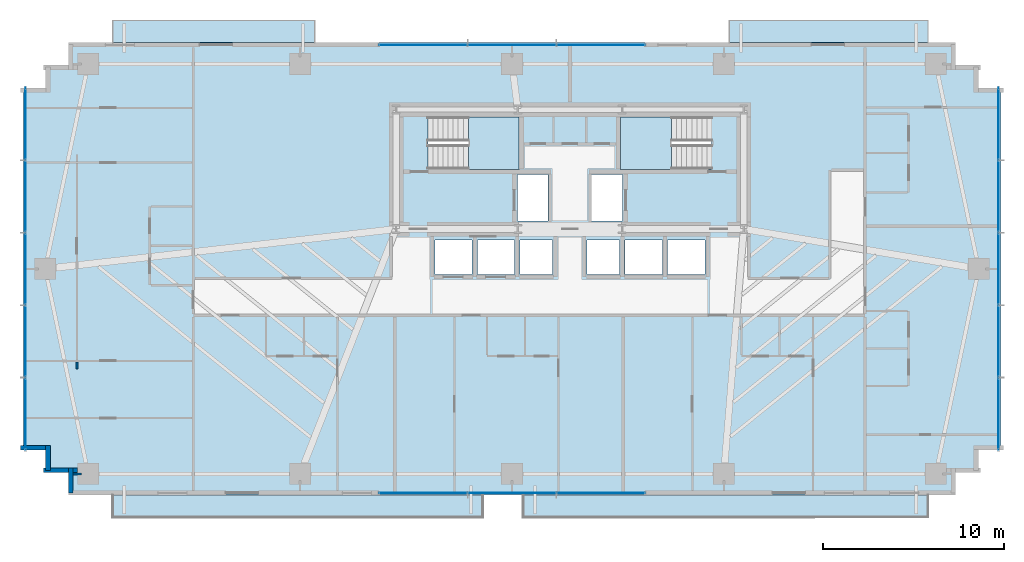
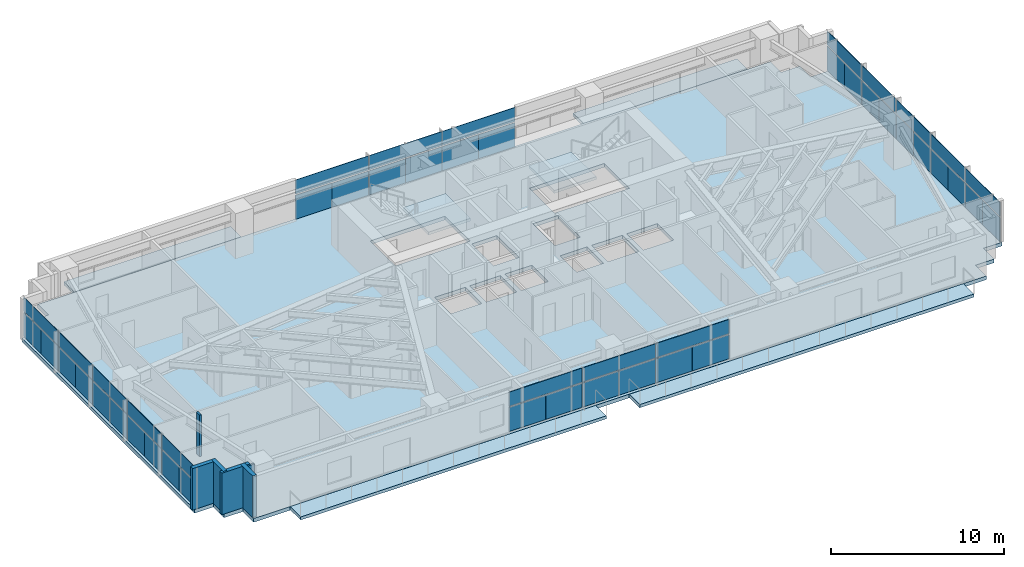
# One storey, part 18 of 25: 48 plates, 7 slabs, 6 walls, 6 elements without a shape of their own.
"""IFC4 building model written with IfcOpenShell, lengths in metres."""

from ifc_helpers import new_model, si_unit, direction, frame, frame_2d, origin, origin_2d, place, context, subcontext, project, spatial, polyline, rectangle, outline, extrude, source, transform, mapped, material, layer, layer_set, type_object, type_shapes, element, aggregate, save


model = new_model("IFC4")

# Units and contexts
model_context = context("Model", 3, precision=1e-05, world=origin(), true_north=direction((0.0, 1.0)))
body_context = subcontext(model_context, "Body", "Model", "MODEL_VIEW")
ifc_project = project(units=[si_unit("LENGTHUNIT", "METRE"), si_unit("AREAUNIT", "SQUARE_METRE"), si_unit("VOLUMEUNIT", "CUBIC_METRE"), si_unit("PLANEANGLEUNIT", "RADIAN"), si_unit("MASSUNIT", "GRAM", prefix="KILO")], contexts=[model_context])

# Site, building, storey
site_placement = place(None, origin())
site = spatial("IfcSite", under=ifc_project, at=site_placement, CompositionType="ELEMENT")
building_placement = place(site_placement, origin())
building = spatial("IfcBuilding", under=site, at=building_placement, Name="Astriad Promenade Condominiums", CompositionType="ELEMENT")
storey_placement = place(building_placement, frame((0.0, 0.0, 42.199951171875)))
storey = spatial("IfcBuildingStorey", under=building, at=storey_placement, Name="L11", CompositionType="ELEMENT", Elevation=42.199951171875)

# Slab
ifc_material_1 = material(Name="Concrete C50/60", Category="concrete")
ifc_layer_1 = layer(ifc_material_1, 0.260009765625)
ifc_layer_set_1 = layer_set([ifc_layer_1], Name="Concrete C50/60")
slab_type_1 = type_object("IfcSlabType", Name="CONCRETE TOWER FLOOR SLAB 260", PredefinedType="FLOOR", material=ifc_layer_set_1)
slab_1_placement = place(storey_placement, frame((0.0, 0.0, -0.260009765625)))
element("IfcSlab", 1, at=slab_1_placement, inside=storey, type_object=slab_type_1, Name="Structural Floor Slab (L11)", PredefinedType="FLOOR", context=body_context, shape_type="SweptSolid", body=[
    extrude(outline(polyline([(8.300048828125, 2.699951171875), (57.300048828125, 2.699951171875), (57.300048828125, 3.949951171875), (58.550048828125, 3.949951171875), (58.550048828125, 5.199951171875), (59.800048828125, 5.199951171875), (59.800048828125, 25.199951171875), (58.550048828125, 25.199951171875), (58.550048828125, 26.449951171875), (57.300048828125, 26.449951171875), (57.300048828125, 27.699951171875), (8.300048828125, 27.699951171875), (8.300048828125, 26.449951171875), (7.050048828125, 26.449951171875), (7.050048828125, 25.199951171875), (5.800048828125, 25.199951171875), (5.800048828125, 5.199951171875), (7.050048828125, 5.199951171875), (7.050048828125, 3.949951171875), (8.300048828125, 3.949951171875), (8.300048828125, 2.699951171875)]), holes=[polyline([(28.175048828125, 20.699951171875), (33.175048828125, 20.699951171875), (33.175048828125, 23.60009765625), (28.175048828125, 23.60009765625), (28.175048828125, 20.699951171875)]), polyline([(38.824951171875, 20.699951171875), (43.824951171875, 20.699951171875), (43.824951171875, 23.60009765625), (38.824951171875, 23.60009765625), (38.824951171875, 20.699951171875)]), polyline([(33.10009765625, 17.85009765625), (34.800048828125, 17.85009765625), (34.800048828125, 20.39990234375), (33.10009765625, 20.39990234375), (33.10009765625, 17.85009765625)]), polyline([(37.199951171875, 17.85009765625), (38.89990234375, 17.85009765625), (38.89990234375, 20.39990234375), (37.199951171875, 20.39990234375), (37.199951171875, 17.85009765625)]), polyline([(28.550048828125, 14.89990234375), (30.60009765625, 14.89990234375), (30.60009765625, 16.800048828125), (28.550048828125, 16.800048828125), (28.550048828125, 14.89990234375)]), polyline([(30.89990234375, 14.89990234375), (32.949951171875, 14.89990234375), (32.949951171875, 16.800048828125), (30.89990234375, 16.800048828125), (30.89990234375, 14.89990234375)]), polyline([(33.25, 14.89990234375), (35.050048828125, 14.89990234375), (35.050048828125, 16.800048828125), (33.25, 16.800048828125), (33.25, 14.89990234375)]), polyline([(36.949951171875, 14.89990234375), (38.75, 14.89990234375), (38.75, 16.800048828125), (36.949951171875, 16.800048828125), (36.949951171875, 14.89990234375)]), polyline([(39.050048828125, 14.89990234375), (41.10009765625, 14.89990234375), (41.10009765625, 16.800048828125), (39.050048828125, 16.800048828125), (39.050048828125, 14.89990234375)]), polyline([(41.39990234375, 14.89990234375), (43.449951171875, 14.89990234375), (43.449951171875, 16.800048828125), (41.39990234375, 16.800048828125), (41.39990234375, 14.89990234375)])]), origin(), (0.0, 0.0, 1.0), 0.260009765625),
])

# Stair, slab
stair_type = type_object("IfcStairType", Name="STR-CORE-1350", PredefinedType="HALF_TURN_STAIR", material=ifc_material_1)
stair_1_placement = place(storey_placement, origin())
stair_1 = element("IfcStair", 2, at=stair_1_placement, inside=storey, type_object=stair_type, Name="L11 Enclosed Core Exit Stair ST-1", PredefinedType="HALF_TURN_STAIR")
ifc_layer_2 = layer(ifc_material_1, 0.219970703125)
ifc_layer_set_2 = layer_set([ifc_layer_2], Name="Concrete C50/60")
slab_type_2 = type_object("IfcSlabType", Name="SLB-LANDING-220", PredefinedType="LANDING", material=ifc_layer_set_2)
slab_2_placement = place(storey_placement, frame((0.0, 0.0, 1.400146484375)))
slab_2 = element("IfcSlab", 3, at=slab_2_placement, type_object=slab_type_2, Name="ST-1 landing 1", PredefinedType="LANDING", context=body_context, shape_type="SweptSolid", body=[
    extrude(outline(polyline([(30.389892578125, 20.699951171875), (33.199951171875, 20.699951171875), (33.199951171875, 23.60009765625), (30.389892578125, 23.60009765625), (30.389892578125, 20.699951171875)])), origin(), (0.0, 0.0, 1.0), 0.199951171875),
])
aggregate(stair_1, [slab_2])

stair_2_placement = place(storey_placement, origin())
stair_2 = element("IfcStair", 4, at=stair_2_placement, inside=storey, type_object=stair_type, Name="L11 Enclosed Core Exit Stair ST-2", PredefinedType="HALF_TURN_STAIR")
slab_3_placement = place(storey_placement, frame((0.0, 0.0, 1.400146484375)))
slab_3 = element("IfcSlab", 5, at=slab_3_placement, type_object=slab_type_2, Name="ST-2 landing 1", PredefinedType="LANDING", context=body_context, shape_type="SweptSolid", body=[
    extrude(outline(polyline([(41.610107421875, 23.60009765625), (38.800048828125, 23.60009765625), (38.800048828125, 20.699951171875), (41.610107421875, 20.699951171875), (41.610107421875, 23.60009765625)])), origin(), (0.0, 0.0, 1.0), 0.199951171875),
])
aggregate(stair_2, [slab_3])

# Slabs
ifc_material_2 = material(Name="Precast concrete C50/60", Category="concrete")
ifc_layer_3 = layer(ifc_material_2, 0.219970703125)
ifc_layer_set_3 = layer_set([ifc_layer_3], Name="Precast concrete C50/60")
slab_type_3 = type_object("IfcSlabType", Name="WHITE PRECAST CONCRETE WAVE BALCONY SLAB 220", PredefinedType="FLOOR", material=ifc_layer_set_3)
slab_4_placement = place(storey_placement, frame((0.0, 0.0, -0.219970703125)))
element("IfcSlab", 6, at=slab_4_placement, inside=storey, type_object=slab_type_3, Name="White Precast Wave Balcony Slab BAL-L11-SW", PredefinedType="FLOOR", context=body_context, shape_type="SweptSolid", body=[
    extrude(outline(polyline([(31.181884765625, 1.47998046875), (10.743896484375, 1.47998046875), (10.743896484375, 2.697998046875), (31.181884765625, 2.697998046875), (31.181884765625, 1.47998046875)])), origin(), (0.0, 0.0, 1.0), 0.219970703125),
])
slab_5_placement = place(storey_placement, frame((0.0, 0.0, -0.219970703125)))
element("IfcSlab", 7, at=slab_5_placement, inside=storey, type_object=slab_type_3, Name="White Precast Wave Balcony Slab BAL-L11-SE", PredefinedType="FLOOR", context=body_context, shape_type="SweptSolid", body=[
    extrude(outline(polyline([(55.77197265625, 1.47998046875), (33.423095703125, 1.47998046875), (33.423095703125, 2.697998046875), (55.77197265625, 2.697998046875), (55.77197265625, 1.47998046875)])), origin(), (0.0, 0.0, 1.0), 0.219970703125),
])
slab_6_placement = place(storey_placement, frame((0.0, 0.0, -0.219970703125)))
element("IfcSlab", 8, at=slab_6_placement, inside=storey, type_object=slab_type_3, Name="White Precast Wave Balcony Slab BAL-L11-NW", PredefinedType="FLOOR", context=body_context, shape_type="SweptSolid", body=[
    extrude(outline(polyline([(10.743896484375, 28.919921875), (21.909912109375, 28.919921875), (21.909912109375, 27.701904296875), (10.743896484375, 27.701904296875), (10.743896484375, 28.919921875)])), origin(), (0.0, 0.0, 1.0), 0.219970703125),
])
slab_7_placement = place(storey_placement, frame((0.0, 0.0, -0.219970703125)))
element("IfcSlab", 9, at=slab_7_placement, inside=storey, type_object=slab_type_3, Name="White Precast Wave Balcony Slab BAL-L11-NE", PredefinedType="FLOOR", context=body_context, shape_type="SweptSolid", body=[
    extrude(outline(polyline([(44.800048828125, 28.919921875), (55.77197265625, 28.919921875), (55.77197265625, 27.701904296875), (44.800048828125, 27.701904296875), (44.800048828125, 28.919921875)])), origin(), (0.0, 0.0, 1.0), 0.219970703125),
])

# Curtain wall, plates
ifc_material_3 = material(Name="Anodised aluminium Black Dark Glass Unitised", Category="aluminium")
curtain_wall_type = type_object("IfcCurtainWallType", Name="CW-B1-DARK", PredefinedType="USERDEFINED", material=ifc_material_3)
curtain_wall_1_placement = place(storey_placement, origin())
curtain_wall_1 = element("IfcCurtainWall", 10, at=curtain_wall_1_placement, inside=storey, type_object=curtain_wall_type, Name="CW-L11-W", ObjectType="UNITISED_CURTAIN_WALL", PredefinedType="USERDEFINED")
ifc_material_4 = material(Name="Dark Tinted Low-E Laminated Glass", Category="glass")
ifc_layer_4 = layer(ifc_material_4, 0.035888671875)
ifc_layer_set_4 = layer_set([ifc_layer_4], Name="Dark Tinted Low-E Laminated Glass")
plate_type = type_object("IfcPlateType", Name="PNL-DARK-GLASS-36", PredefinedType="CURTAIN_PANEL", material=ifc_layer_set_4)
shared_shape_1 = source(origin(), body_context, "Body", "SweptSolid", [
    extrude(rectangle(XDim=1.988037109375, YDim=0.035888671875, at=origin_2d()), origin(), (0.0, 0.0, 1.0), 1.702880859375),
])
plate_1_placement = place(storey_placement, frame((5.929931640625, 6.199951171875, 0.080078125), z_axis=(0.0, 0.0, 1.0), x_axis=(0.0, 1.0, 0.0)))
plate_1 = element("IfcPlate", 11, at=plate_1_placement, type_object=plate_type, Name="CW-L11-W-PNL-00-VL", PredefinedType="CURTAIN_PANEL", context=body_context, shape_type="MappedRepresentation", body=[
    mapped(shared_shape_1, transform((0.0, 0.0, 0.0), scale=1.0)),
])
plate_2_placement = place(storey_placement, frame((5.929931640625, 8.199951171875, 0.080078125), z_axis=(0.0, 0.0, 1.0), x_axis=(0.0, 1.0, 0.0)))
plate_2 = element("IfcPlate", 12, at=plate_2_placement, type_object=plate_type, Name="CW-L11-W-PNL-00-VR", PredefinedType="CURTAIN_PANEL", context=body_context, shape_type="MappedRepresentation", body=[
    mapped(shared_shape_1, transform((0.0, 0.0, 0.0), scale=1.0)),
])
plate_3_placement = place(storey_placement, frame((5.929931640625, 10.199951171875, 0.080078125), z_axis=(0.0, 0.0, 1.0), x_axis=(0.0, 1.0, 0.0)))
plate_3 = element("IfcPlate", 13, at=plate_3_placement, type_object=plate_type, Name="CW-L11-W-PNL-01-VL", PredefinedType="CURTAIN_PANEL", context=body_context, shape_type="MappedRepresentation", body=[
    mapped(shared_shape_1, transform((0.0, 0.0, 0.0), scale=1.0)),
])
plate_4_placement = place(storey_placement, frame((5.929931640625, 12.199951171875, 0.080078125), z_axis=(0.0, 0.0, 1.0), x_axis=(0.0, 1.0, 0.0)))
plate_4 = element("IfcPlate", 14, at=plate_4_placement, type_object=plate_type, Name="CW-L11-W-PNL-01-VR", PredefinedType="CURTAIN_PANEL", context=body_context, shape_type="MappedRepresentation", body=[
    mapped(shared_shape_1, transform((0.0, 0.0, 0.0), scale=1.0)),
])
plate_5_placement = place(storey_placement, frame((5.929931640625, 14.199951171875, 0.080078125), z_axis=(0.0, 0.0, 1.0), x_axis=(0.0, 1.0, 0.0)))
plate_5 = element("IfcPlate", 15, at=plate_5_placement, type_object=plate_type, Name="CW-L11-W-PNL-02-VL", PredefinedType="CURTAIN_PANEL", context=body_context, shape_type="MappedRepresentation", body=[
    mapped(shared_shape_1, transform((0.0, 0.0, 0.0), scale=1.0)),
])
plate_6_placement = place(storey_placement, frame((5.929931640625, 16.199951171875, 0.080078125), z_axis=(0.0, 0.0, 1.0), x_axis=(0.0, 1.0, 0.0)))
plate_6 = element("IfcPlate", 16, at=plate_6_placement, type_object=plate_type, Name="CW-L11-W-PNL-02-VR", PredefinedType="CURTAIN_PANEL", context=body_context, shape_type="MappedRepresentation", body=[
    mapped(shared_shape_1, transform((0.0, 0.0, 0.0), scale=1.0)),
])
plate_7_placement = place(storey_placement, frame((5.929931640625, 18.199951171875, 0.080078125), z_axis=(0.0, 0.0, 1.0), x_axis=(0.0, 1.0, 0.0)))
plate_7 = element("IfcPlate", 17, at=plate_7_placement, type_object=plate_type, Name="CW-L11-W-PNL-03-VL", PredefinedType="CURTAIN_PANEL", context=body_context, shape_type="MappedRepresentation", body=[
    mapped(shared_shape_1, transform((0.0, 0.0, 0.0), scale=1.0)),
])
plate_8_placement = place(storey_placement, frame((5.929931640625, 20.199951171875, 0.080078125), z_axis=(0.0, 0.0, 1.0), x_axis=(0.0, 1.0, 0.0)))
plate_8 = element("IfcPlate", 18, at=plate_8_placement, type_object=plate_type, Name="CW-L11-W-PNL-03-VR", PredefinedType="CURTAIN_PANEL", context=body_context, shape_type="MappedRepresentation", body=[
    mapped(shared_shape_1, transform((0.0, 0.0, 0.0), scale=1.0)),
])
plate_9_placement = place(storey_placement, frame((5.929931640625, 22.199951171875, 0.080078125), z_axis=(0.0, 0.0, 1.0), x_axis=(0.0, 1.0, 0.0)))
plate_9 = element("IfcPlate", 19, at=plate_9_placement, type_object=plate_type, Name="CW-L11-W-PNL-04-VL", PredefinedType="CURTAIN_PANEL", context=body_context, shape_type="MappedRepresentation", body=[
    mapped(shared_shape_1, transform((0.0, 0.0, 0.0), scale=1.0)),
])
plate_10_placement = place(storey_placement, frame((5.929931640625, 24.199951171875, 0.080078125), z_axis=(0.0, 0.0, 1.0), x_axis=(0.0, 1.0, 0.0)))
plate_10 = element("IfcPlate", 20, at=plate_10_placement, type_object=plate_type, Name="CW-L11-W-PNL-04-VR", PredefinedType="CURTAIN_PANEL", context=body_context, shape_type="MappedRepresentation", body=[
    mapped(shared_shape_1, transform((0.0, 0.0, 0.0), scale=1.0)),
])

curtain_wall_2_placement = place(storey_placement, origin())
curtain_wall_2 = element("IfcCurtainWall", 21, at=curtain_wall_2_placement, inside=storey, type_object=curtain_wall_type, Name="CW-L11-E", ObjectType="UNITISED_CURTAIN_WALL", PredefinedType="USERDEFINED")
plate_11_placement = place(storey_placement, frame((59.669921875, 24.199951171875, 0.080078125), z_axis=(0.0, 0.0, 1.0), x_axis=(0.0, -1.0, 0.0)))
plate_11 = element("IfcPlate", 22, at=plate_11_placement, type_object=plate_type, Name="CW-L11-E-PNL-00-VL", PredefinedType="CURTAIN_PANEL", context=body_context, shape_type="MappedRepresentation", body=[
    mapped(shared_shape_1, transform((0.0, 0.0, 0.0), scale=1.0)),
])
plate_12_placement = place(storey_placement, frame((59.669921875, 22.199951171875, 0.080078125), z_axis=(0.0, 0.0, 1.0), x_axis=(0.0, -1.0, 0.0)))
plate_12 = element("IfcPlate", 23, at=plate_12_placement, type_object=plate_type, Name="CW-L11-E-PNL-00-VR", PredefinedType="CURTAIN_PANEL", context=body_context, shape_type="MappedRepresentation", body=[
    mapped(shared_shape_1, transform((0.0, 0.0, 0.0), scale=1.0)),
])
plate_13_placement = place(storey_placement, frame((59.669921875, 20.199951171875, 0.080078125), z_axis=(0.0, 0.0, 1.0), x_axis=(0.0, -1.0, 0.0)))
plate_13 = element("IfcPlate", 24, at=plate_13_placement, type_object=plate_type, Name="CW-L11-E-PNL-01-VL", PredefinedType="CURTAIN_PANEL", context=body_context, shape_type="MappedRepresentation", body=[
    mapped(shared_shape_1, transform((0.0, 0.0, 0.0), scale=1.0)),
])
plate_14_placement = place(storey_placement, frame((59.669921875, 18.199951171875, 0.080078125), z_axis=(0.0, 0.0, 1.0), x_axis=(0.0, -1.0, 0.0)))
plate_14 = element("IfcPlate", 25, at=plate_14_placement, type_object=plate_type, Name="CW-L11-E-PNL-01-VR", PredefinedType="CURTAIN_PANEL", context=body_context, shape_type="MappedRepresentation", body=[
    mapped(shared_shape_1, transform((0.0, 0.0, 0.0), scale=1.0)),
])
plate_15_placement = place(storey_placement, frame((59.669921875, 16.199951171875, 0.080078125), z_axis=(0.0, 0.0, 1.0), x_axis=(0.0, -1.0, 0.0)))
plate_15 = element("IfcPlate", 26, at=plate_15_placement, type_object=plate_type, Name="CW-L11-E-PNL-02-VL", PredefinedType="CURTAIN_PANEL", context=body_context, shape_type="MappedRepresentation", body=[
    mapped(shared_shape_1, transform((0.0, 0.0, 0.0), scale=1.0)),
])
plate_16_placement = place(storey_placement, frame((59.669921875, 14.199951171875, 0.080078125), z_axis=(0.0, 0.0, 1.0), x_axis=(0.0, -1.0, 0.0)))
plate_16 = element("IfcPlate", 27, at=plate_16_placement, type_object=plate_type, Name="CW-L11-E-PNL-02-VR", PredefinedType="CURTAIN_PANEL", context=body_context, shape_type="MappedRepresentation", body=[
    mapped(shared_shape_1, transform((0.0, 0.0, 0.0), scale=1.0)),
])
plate_17_placement = place(storey_placement, frame((59.669921875, 12.199951171875, 0.080078125), z_axis=(0.0, 0.0, 1.0), x_axis=(0.0, -1.0, 0.0)))
plate_17 = element("IfcPlate", 28, at=plate_17_placement, type_object=plate_type, Name="CW-L11-E-PNL-03-VL", PredefinedType="CURTAIN_PANEL", context=body_context, shape_type="MappedRepresentation", body=[
    mapped(shared_shape_1, transform((0.0, 0.0, 0.0), scale=1.0)),
])
plate_18_placement = place(storey_placement, frame((59.669921875, 10.199951171875, 0.080078125), z_axis=(0.0, 0.0, 1.0), x_axis=(0.0, -1.0, 0.0)))
plate_18 = element("IfcPlate", 29, at=plate_18_placement, type_object=plate_type, Name="CW-L11-E-PNL-03-VR", PredefinedType="CURTAIN_PANEL", context=body_context, shape_type="MappedRepresentation", body=[
    mapped(shared_shape_1, transform((0.0, 0.0, 0.0), scale=1.0)),
])
plate_19_placement = place(storey_placement, frame((59.669921875, 8.199951171875, 0.080078125), z_axis=(0.0, 0.0, 1.0), x_axis=(0.0, -1.0, 0.0)))
plate_19 = element("IfcPlate", 30, at=plate_19_placement, type_object=plate_type, Name="CW-L11-E-PNL-04-VL", PredefinedType="CURTAIN_PANEL", context=body_context, shape_type="MappedRepresentation", body=[
    mapped(shared_shape_1, transform((0.0, 0.0, 0.0), scale=1.0)),
])
plate_20_placement = place(storey_placement, frame((59.669921875, 6.199951171875, 0.080078125), z_axis=(0.0, 0.0, 1.0), x_axis=(0.0, -1.0, 0.0)))
plate_20 = element("IfcPlate", 31, at=plate_20_placement, type_object=plate_type, Name="CW-L11-E-PNL-04-VR", PredefinedType="CURTAIN_PANEL", context=body_context, shape_type="MappedRepresentation", body=[
    mapped(shared_shape_1, transform((0.0, 0.0, 0.0), scale=1.0)),
])

# Plate
shared_shape_2 = source(origin(), body_context, "Body", "SweptSolid", [
    extrude(rectangle(XDim=3.988037109375, YDim=0.035888671875, at=origin_2d()), origin(), (0.0, 0.0, 1.0), 0.997314453125),
])
plate_21_placement = place(storey_placement, frame((5.929931640625, 7.199951171875, 1.86279296875), z_axis=(0.0, 0.0, 1.0), x_axis=(0.0, 1.0, 0.0)))
plate_21 = element("IfcPlate", 32, at=plate_21_placement, type_object=plate_type, Name="CW-L11-W-PNL-00-S", PredefinedType="CURTAIN_PANEL", context=body_context, shape_type="MappedRepresentation", body=[
    mapped(shared_shape_2, transform((0.0, 0.0, 0.0), scale=1.0)),
])

plate_22_placement = place(storey_placement, frame((5.929931640625, 11.199951171875, 1.86279296875), z_axis=(0.0, 0.0, 1.0), x_axis=(0.0, 1.0, 0.0)))
plate_22 = element("IfcPlate", 33, at=plate_22_placement, type_object=plate_type, Name="CW-L11-W-PNL-01-S", PredefinedType="CURTAIN_PANEL", context=body_context, shape_type="MappedRepresentation", body=[
    mapped(shared_shape_2, transform((0.0, 0.0, 0.0), scale=1.0)),
])

plate_23_placement = place(storey_placement, frame((5.929931640625, 15.199951171875, 1.86279296875), z_axis=(0.0, 0.0, 1.0), x_axis=(0.0, 1.0, 0.0)))
plate_23 = element("IfcPlate", 34, at=plate_23_placement, type_object=plate_type, Name="CW-L11-W-PNL-02-S", PredefinedType="CURTAIN_PANEL", context=body_context, shape_type="MappedRepresentation", body=[
    mapped(shared_shape_2, transform((0.0, 0.0, 0.0), scale=1.0)),
])

plate_24_placement = place(storey_placement, frame((5.929931640625, 19.199951171875, 1.86279296875), z_axis=(0.0, 0.0, 1.0), x_axis=(0.0, 1.0, 0.0)))
plate_24 = element("IfcPlate", 35, at=plate_24_placement, type_object=plate_type, Name="CW-L11-W-PNL-03-S", PredefinedType="CURTAIN_PANEL", context=body_context, shape_type="MappedRepresentation", body=[
    mapped(shared_shape_2, transform((0.0, 0.0, 0.0), scale=1.0)),
])

plate_25_placement = place(storey_placement, frame((5.929931640625, 23.199951171875, 1.86279296875), z_axis=(0.0, 0.0, 1.0), x_axis=(0.0, 1.0, 0.0)))
plate_25 = element("IfcPlate", 36, at=plate_25_placement, type_object=plate_type, Name="CW-L11-W-PNL-04-S", PredefinedType="CURTAIN_PANEL", context=body_context, shape_type="MappedRepresentation", body=[
    mapped(shared_shape_2, transform((0.0, 0.0, 0.0), scale=1.0)),
])

aggregate(curtain_wall_1, [plate_1, plate_2, plate_21, plate_3, plate_4, plate_22, plate_5, plate_6, plate_23, plate_7, plate_8, plate_24, plate_9, plate_10, plate_25])

plate_26_placement = place(storey_placement, frame((59.669921875, 23.199951171875, 1.86279296875), z_axis=(0.0, 0.0, 1.0), x_axis=(0.0, -1.0, 0.0)))
plate_26 = element("IfcPlate", 37, at=plate_26_placement, type_object=plate_type, Name="CW-L11-E-PNL-00-S", PredefinedType="CURTAIN_PANEL", context=body_context, shape_type="MappedRepresentation", body=[
    mapped(shared_shape_2, transform((0.0, 0.0, 0.0), scale=1.0)),
])

plate_27_placement = place(storey_placement, frame((59.669921875, 19.199951171875, 1.86279296875), z_axis=(0.0, 0.0, 1.0), x_axis=(0.0, -1.0, 0.0)))
plate_27 = element("IfcPlate", 38, at=plate_27_placement, type_object=plate_type, Name="CW-L11-E-PNL-01-S", PredefinedType="CURTAIN_PANEL", context=body_context, shape_type="MappedRepresentation", body=[
    mapped(shared_shape_2, transform((0.0, 0.0, 0.0), scale=1.0)),
])

plate_28_placement = place(storey_placement, frame((59.669921875, 15.199951171875, 1.86279296875), z_axis=(0.0, 0.0, 1.0), x_axis=(0.0, -1.0, 0.0)))
plate_28 = element("IfcPlate", 39, at=plate_28_placement, type_object=plate_type, Name="CW-L11-E-PNL-02-S", PredefinedType="CURTAIN_PANEL", context=body_context, shape_type="MappedRepresentation", body=[
    mapped(shared_shape_2, transform((0.0, 0.0, 0.0), scale=1.0)),
])

plate_29_placement = place(storey_placement, frame((59.669921875, 11.199951171875, 1.86279296875), z_axis=(0.0, 0.0, 1.0), x_axis=(0.0, -1.0, 0.0)))
plate_29 = element("IfcPlate", 40, at=plate_29_placement, type_object=plate_type, Name="CW-L11-E-PNL-03-S", PredefinedType="CURTAIN_PANEL", context=body_context, shape_type="MappedRepresentation", body=[
    mapped(shared_shape_2, transform((0.0, 0.0, 0.0), scale=1.0)),
])

plate_30_placement = place(storey_placement, frame((59.669921875, 7.199951171875, 1.86279296875), z_axis=(0.0, 0.0, 1.0), x_axis=(0.0, -1.0, 0.0)))
plate_30 = element("IfcPlate", 41, at=plate_30_placement, type_object=plate_type, Name="CW-L11-E-PNL-04-S", PredefinedType="CURTAIN_PANEL", context=body_context, shape_type="MappedRepresentation", body=[
    mapped(shared_shape_2, transform((0.0, 0.0, 0.0), scale=1.0)),
])

aggregate(curtain_wall_2, [plate_11, plate_12, plate_26, plate_13, plate_14, plate_27, plate_15, plate_16, plate_28, plate_17, plate_18, plate_29, plate_19, plate_20, plate_30])

# Curtain wall, plates
curtain_wall_3_placement = place(storey_placement, origin())
curtain_wall_3 = element("IfcCurtainWall", 42, at=curtain_wall_3_placement, inside=storey, type_object=curtain_wall_type, Name="CW-L11-N", ObjectType="UNITISED_CURTAIN_WALL", PredefinedType="USERDEFINED")
shared_shape_3 = source(origin(), body_context, "Body", "SweptSolid", [
    extrude(rectangle(XDim=2.43798828125, YDim=0.035888671875, at=origin_2d()), origin(), (0.0, 0.0, 1.0), 1.702880859375),
])
plate_31_placement = place(storey_placement, frame((26.675048828125, 27.570068359375, 0.080078125), z_axis=(0.0, 0.0, 1.0), x_axis=(1.0, 0.0, 0.0)))
plate_31 = element("IfcPlate", 43, at=plate_31_placement, type_object=plate_type, Name="CW-L11-N-PNL-00-VL", PredefinedType="CURTAIN_PANEL", context=body_context, shape_type="MappedRepresentation", body=[
    mapped(shared_shape_3, transform((0.0, 0.0, 0.0), scale=1.0)),
])
plate_32_placement = place(storey_placement, frame((29.125, 27.570068359375, 0.080078125), z_axis=(0.0, 0.0, 1.0), x_axis=(1.0, 0.0, 0.0)))
plate_32 = element("IfcPlate", 44, at=plate_32_placement, type_object=plate_type, Name="CW-L11-N-PNL-00-VR", PredefinedType="CURTAIN_PANEL", context=body_context, shape_type="MappedRepresentation", body=[
    mapped(shared_shape_3, transform((0.0, 0.0, 0.0), scale=1.0)),
])
plate_33_placement = place(storey_placement, frame((31.574951171875, 27.570068359375, 0.080078125), z_axis=(0.0, 0.0, 1.0), x_axis=(1.0, 0.0, 0.0)))
plate_33 = element("IfcPlate", 45, at=plate_33_placement, type_object=plate_type, Name="CW-L11-N-PNL-01-VL", PredefinedType="CURTAIN_PANEL", context=body_context, shape_type="MappedRepresentation", body=[
    mapped(shared_shape_3, transform((0.0, 0.0, 0.0), scale=1.0)),
])
plate_34_placement = place(storey_placement, frame((34.02490234375, 27.570068359375, 0.080078125), z_axis=(0.0, 0.0, 1.0), x_axis=(1.0, 0.0, 0.0)))
plate_34 = element("IfcPlate", 46, at=plate_34_placement, type_object=plate_type, Name="CW-L11-N-PNL-01-VR", PredefinedType="CURTAIN_PANEL", context=body_context, shape_type="MappedRepresentation", body=[
    mapped(shared_shape_3, transform((0.0, 0.0, 0.0), scale=1.0)),
])
plate_35_placement = place(storey_placement, frame((36.47509765625, 27.570068359375, 0.080078125), z_axis=(0.0, 0.0, 1.0), x_axis=(1.0, 0.0, 0.0)))
plate_35 = element("IfcPlate", 47, at=plate_35_placement, type_object=plate_type, Name="CW-L11-N-PNL-02-VL", PredefinedType="CURTAIN_PANEL", context=body_context, shape_type="MappedRepresentation", body=[
    mapped(shared_shape_3, transform((0.0, 0.0, 0.0), scale=1.0)),
])
plate_36_placement = place(storey_placement, frame((38.925048828125, 27.570068359375, 0.080078125), z_axis=(0.0, 0.0, 1.0), x_axis=(1.0, 0.0, 0.0)))
plate_36 = element("IfcPlate", 48, at=plate_36_placement, type_object=plate_type, Name="CW-L11-N-PNL-02-VR", PredefinedType="CURTAIN_PANEL", context=body_context, shape_type="MappedRepresentation", body=[
    mapped(shared_shape_3, transform((0.0, 0.0, 0.0), scale=1.0)),
])

curtain_wall_4_placement = place(storey_placement, origin())
curtain_wall_4 = element("IfcCurtainWall", 49, at=curtain_wall_4_placement, inside=storey, type_object=curtain_wall_type, Name="CW-L11-S", ObjectType="UNITISED_CURTAIN_WALL", PredefinedType="USERDEFINED")
plate_37_placement = place(storey_placement, frame((38.925048828125, 2.830078125, 0.080078125), z_axis=(0.0, 0.0, 1.0), x_axis=(-1.0, 0.0, 0.0)))
plate_37 = element("IfcPlate", 50, at=plate_37_placement, type_object=plate_type, Name="CW-L11-S-PNL-00-VL", PredefinedType="CURTAIN_PANEL", context=body_context, shape_type="MappedRepresentation", body=[
    mapped(shared_shape_3, transform((0.0, 0.0, 0.0), scale=1.0)),
])
plate_38_placement = place(storey_placement, frame((36.47509765625, 2.830078125, 0.080078125), z_axis=(0.0, 0.0, 1.0), x_axis=(-1.0, 0.0, 0.0)))
plate_38 = element("IfcPlate", 51, at=plate_38_placement, type_object=plate_type, Name="CW-L11-S-PNL-00-VR", PredefinedType="CURTAIN_PANEL", context=body_context, shape_type="MappedRepresentation", body=[
    mapped(shared_shape_3, transform((0.0, 0.0, 0.0), scale=1.0)),
])
plate_39_placement = place(storey_placement, frame((34.02490234375, 2.830078125, 0.080078125), z_axis=(0.0, 0.0, 1.0), x_axis=(-1.0, 0.0, 0.0)))
plate_39 = element("IfcPlate", 52, at=plate_39_placement, type_object=plate_type, Name="CW-L11-S-PNL-01-VL", PredefinedType="CURTAIN_PANEL", context=body_context, shape_type="MappedRepresentation", body=[
    mapped(shared_shape_3, transform((0.0, 0.0, 0.0), scale=1.0)),
])
plate_40_placement = place(storey_placement, frame((31.574951171875, 2.830078125, 0.080078125), z_axis=(0.0, 0.0, 1.0), x_axis=(-1.0, 0.0, 0.0)))
plate_40 = element("IfcPlate", 53, at=plate_40_placement, type_object=plate_type, Name="CW-L11-S-PNL-01-VR", PredefinedType="CURTAIN_PANEL", context=body_context, shape_type="MappedRepresentation", body=[
    mapped(shared_shape_3, transform((0.0, 0.0, 0.0), scale=1.0)),
])
plate_41_placement = place(storey_placement, frame((29.125, 2.830078125, 0.080078125), z_axis=(0.0, 0.0, 1.0), x_axis=(-1.0, 0.0, 0.0)))
plate_41 = element("IfcPlate", 54, at=plate_41_placement, type_object=plate_type, Name="CW-L11-S-PNL-02-VL", PredefinedType="CURTAIN_PANEL", context=body_context, shape_type="MappedRepresentation", body=[
    mapped(shared_shape_3, transform((0.0, 0.0, 0.0), scale=1.0)),
])
plate_42_placement = place(storey_placement, frame((26.675048828125, 2.830078125, 0.080078125), z_axis=(0.0, 0.0, 1.0), x_axis=(-1.0, 0.0, 0.0)))
plate_42 = element("IfcPlate", 55, at=plate_42_placement, type_object=plate_type, Name="CW-L11-S-PNL-02-VR", PredefinedType="CURTAIN_PANEL", context=body_context, shape_type="MappedRepresentation", body=[
    mapped(shared_shape_3, transform((0.0, 0.0, 0.0), scale=1.0)),
])

# Plate
shared_shape_4 = source(origin(), body_context, "Body", "SweptSolid", [
    extrude(rectangle(XDim=4.887939453125, YDim=0.035888671875, at=origin_2d()), origin(), (0.0, 0.0, 1.0), 0.997314453125),
])
type_shapes(plate_type, [shared_shape_1, shared_shape_2, shared_shape_3, shared_shape_4])
plate_43_placement = place(storey_placement, frame((27.89990234375, 27.570068359375, 1.86279296875), z_axis=(0.0, 0.0, 1.0), x_axis=(1.0, 0.0, 0.0)))
plate_43 = element("IfcPlate", 56, at=plate_43_placement, type_object=plate_type, Name="CW-L11-N-PNL-00-S", PredefinedType="CURTAIN_PANEL", context=body_context, shape_type="MappedRepresentation", body=[
    mapped(shared_shape_4, transform((0.0, 0.0, 0.0), scale=1.0)),
])

plate_44_placement = place(storey_placement, frame((32.800048828125, 27.570068359375, 1.86279296875), z_axis=(0.0, 0.0, 1.0), x_axis=(1.0, 0.0, 0.0)))
plate_44 = element("IfcPlate", 57, at=plate_44_placement, type_object=plate_type, Name="CW-L11-N-PNL-01-S", PredefinedType="CURTAIN_PANEL", context=body_context, shape_type="MappedRepresentation", body=[
    mapped(shared_shape_4, transform((0.0, 0.0, 0.0), scale=1.0)),
])

plate_45_placement = place(storey_placement, frame((37.699951171875, 27.570068359375, 1.86279296875), z_axis=(0.0, 0.0, 1.0), x_axis=(1.0, 0.0, 0.0)))
plate_45 = element("IfcPlate", 58, at=plate_45_placement, type_object=plate_type, Name="CW-L11-N-PNL-02-S", PredefinedType="CURTAIN_PANEL", context=body_context, shape_type="MappedRepresentation", body=[
    mapped(shared_shape_4, transform((0.0, 0.0, 0.0), scale=1.0)),
])

aggregate(curtain_wall_3, [plate_31, plate_32, plate_43, plate_33, plate_34, plate_44, plate_35, plate_36, plate_45])

plate_46_placement = place(storey_placement, frame((37.699951171875, 2.830078125, 1.86279296875), z_axis=(0.0, 0.0, 1.0), x_axis=(-1.0, 0.0, 0.0)))
plate_46 = element("IfcPlate", 59, at=plate_46_placement, type_object=plate_type, Name="CW-L11-S-PNL-00-S", PredefinedType="CURTAIN_PANEL", context=body_context, shape_type="MappedRepresentation", body=[
    mapped(shared_shape_4, transform((0.0, 0.0, 0.0), scale=1.0)),
])

plate_47_placement = place(storey_placement, frame((32.800048828125, 2.830078125, 1.86279296875), z_axis=(0.0, 0.0, 1.0), x_axis=(-1.0, 0.0, 0.0)))
plate_47 = element("IfcPlate", 60, at=plate_47_placement, type_object=plate_type, Name="CW-L11-S-PNL-01-S", PredefinedType="CURTAIN_PANEL", context=body_context, shape_type="MappedRepresentation", body=[
    mapped(shared_shape_4, transform((0.0, 0.0, 0.0), scale=1.0)),
])

plate_48_placement = place(storey_placement, frame((27.89990234375, 2.830078125, 1.86279296875), z_axis=(0.0, 0.0, 1.0), x_axis=(-1.0, 0.0, 0.0)))
plate_48 = element("IfcPlate", 61, at=plate_48_placement, type_object=plate_type, Name="CW-L11-S-PNL-02-S", PredefinedType="CURTAIN_PANEL", context=body_context, shape_type="MappedRepresentation", body=[
    mapped(shared_shape_4, transform((0.0, 0.0, 0.0), scale=1.0)),
])

aggregate(curtain_wall_4, [plate_37, plate_38, plate_46, plate_39, plate_40, plate_47, plate_41, plate_42, plate_48])

# Walls
ifc_layer_5 = layer(ifc_material_2, 0.260009765625)
ifc_layer_set_5 = layer_set([ifc_layer_5], Name="Precast concrete C50/60")
wall_type_1 = type_object("IfcWallType", Name="WALL-EXT-TWR-260", PredefinedType="STANDARD", material=ifc_layer_set_5)
wall_1_placement = place(storey_placement, frame((8.798095703125, 4.080078125, 0.0), z_axis=(0.0, 0.0, 1.0), x_axis=(-1.0, 0.0, 0.0)))
element("IfcWall", 62, at=wall_1_placement, inside=storey, type_object=wall_type_1, Name="W-SER-L11-00", PredefinedType="STANDARD", context=body_context, shape_type="SweptSolid", body=[
    extrude(rectangle(XDim=1.878173828125, YDim=0.260009765625, at=frame_2d((0.93896484375, 0.0))), origin(), (0.0, 0.0, 1.0), 2.93994140625),
])
for number, where, z_axis, x_axis, name in (
    (63, (7.179931640625, 4.06494140625, 0.0), (0.0, 0.0, 1.0), (0.0, 1.0, 0.0), "W-SER-L11-01"),
    (64, (7.06494140625, 5.330078125, 0.0), (0.0, 0.0, 1.0), (-1.0, 0.0, 0.0), "W-SER-L11-02"),
    (65, (8.429931640625, 2.81494140625, 0.0), (0.0, 0.0, 1.0), (0.0, 1.0, 0.0), "W-SER-L11-19"),
):
    element("IfcWall", number, at=place(storey_placement, frame(where, z_axis=z_axis, x_axis=x_axis)), inside=storey, type_object=wall_type_1, Name=name, PredefinedType="STANDARD", context=body_context, shape_type="SweptSolid", body=[
        extrude(rectangle(XDim=1.39501953125, YDim=0.260009765625, at=frame_2d((0.697509765625, 0.0))), origin(), (0.0, 0.0, 1.0), 2.93994140625),
    ])
ifc_material_5 = material(Name="Acoustic Metal-Stud Gypsum Partition")
ifc_layer_6 = layer(ifc_material_5, 0.1201171875)
ifc_layer_set_6 = layer_set([ifc_layer_6], Name="Acoustic Metal-Stud Gypsum Partition")
wall_type_2 = type_object("IfcWallType", Name="WALL-PART-120", PredefinedType="PARTITIONING", material=ifc_layer_set_6)
wall_2_placement = place(storey_placement, frame((8.77490234375, 9.676025390625, 0.0), z_axis=(0.0, 0.0, 1.0), x_axis=(0.0, 1.0, 0.0)))
element("IfcWall", 66, at=wall_2_placement, inside=storey, type_object=wall_type_2, Name="PT-L11-W1-WDV4", PredefinedType="PARTITIONING", context=body_context, shape_type="SweptSolid", body=[
    extrude(rectangle(XDim=0.3779296875, YDim=0.1201171875, at=frame_2d((0.18896484375, 0.0))), origin(), (0.0, 0.0, 1.0), 2.93994140625),
])
wall_3_placement = place(storey_placement, frame((9.02001953125, 3.8798828125, 0.0), z_axis=(0.0, 0.0, 1.0), x_axis=(-1.0, 0.0, 0.0)))
element("IfcWall", 67, at=wall_3_placement, inside=storey, type_object=wall_type_2, Name="PT-PIL-L11-PC01-8", PredefinedType="PARTITIONING", context=body_context, shape_type="SweptSolid", body=[
    extrude(rectangle(XDim=0.4580078125, YDim=0.1201171875, at=frame_2d((0.22900390625, 0.0))), origin(), (0.0, 0.0, 1.0), 2.93994140625),
])

save(model, "model.ifc")
